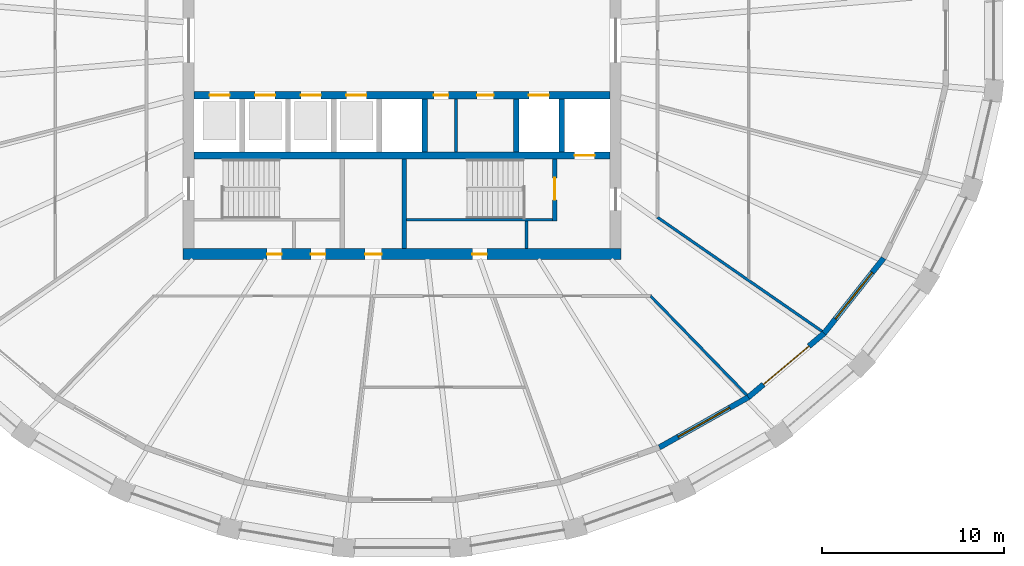
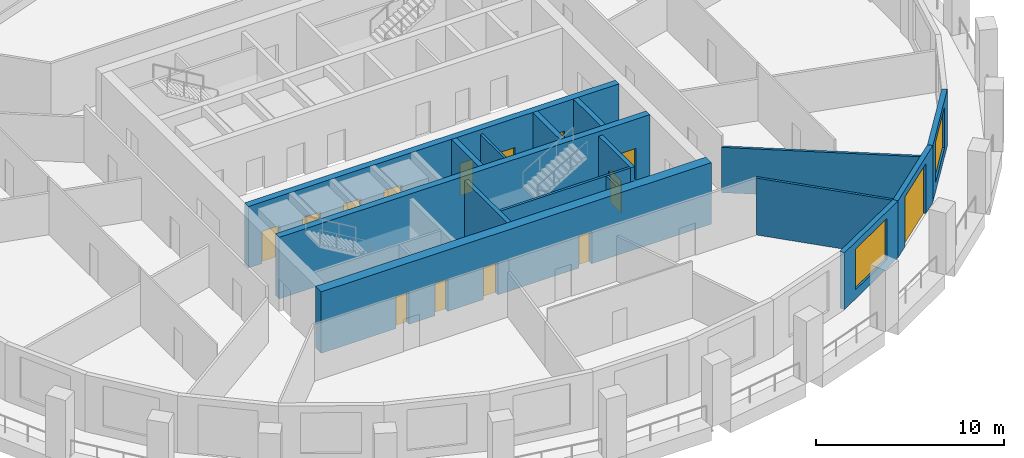
# One storey, part 4 of 10: 16 walls, 14 doors, 2 windows, 16 openings.
"""IFC4 building model written with IfcOpenShell, lengths in metres."""

from ifc_helpers import new_model, si_unit, direction, frame, frame_2d, origin, place, context, subcontext, project, spatial, polyline, rectangle, outline, extrude, material, layer, layer_set, type_object, element, fill, save


model = new_model("IFC4")

# Units and contexts
model_context = context("Model", 3, precision=1e-05, world=origin(), true_north=direction((0.0, 1.0)))
body_context = subcontext(model_context, "Body", "Model", "MODEL_VIEW")
ifc_project = project(units=[si_unit("LENGTHUNIT", "METRE"), si_unit("AREAUNIT", "SQUARE_METRE"), si_unit("VOLUMEUNIT", "CUBIC_METRE"), si_unit("PLANEANGLEUNIT", "RADIAN"), si_unit("MASSUNIT", "GRAM", prefix="KILO")], contexts=[model_context])

# Site, building, storey
site_placement = place(None, origin())
site = spatial("IfcSite", under=ifc_project, at=site_placement, CompositionType="ELEMENT")
building_placement = place(site_placement, origin())
building = spatial("IfcBuilding", under=site, at=building_placement, Name="Halqa Exchange Tower", CompositionType="ELEMENT")
storey_placement = place(building_placement, frame((0.0, 0.0, 194.89990234375)))
storey = spatial("IfcBuildingStorey", under=building, at=storey_placement, Name="L44", CompositionType="ELEMENT", Elevation=194.89990234375)

# Walls
ifc_material_1 = material(Name="Fire-rated gypsum board")
ifc_layer_1 = layer(ifc_material_1, 0.14990234375)
ifc_layer_set_1 = layer_set([ifc_layer_1], Name="Fire-rated gypsum board")
wall_type_1 = type_object("IfcWallType", Name="Fire partition EI 60 150", PredefinedType="PARTITIONING", material=ifc_layer_set_1)
wall_1_placement = place(storey_placement, frame((13.9677734375, -9.66748046875, 0.0), z_axis=(0.0, 0.0, 1.0), x_axis=(0.822097241007, -0.569347105313, 0.0)))
element("IfcWall", 1, at=wall_1_placement, inside=storey, type_object=wall_type_1, Name="L44-PWL-021", PredefinedType="PARTITIONING", context=body_context, shape_type="SweptSolid", body=[
    extrude(outline(polyline([(0.000244140625, -0.074951171875), (1.832275390625, -0.074951171875), (3.664306640625, -0.074951171875), (5.496337890625, -0.074951171875), (7.328125, -0.074951171875), (9.16015625, -0.074951171875), (10.9921875, -0.074951171875), (11.011962890625, -0.002197265625), (11.0166015625, 0.06982421875), (11.0166015625, 0.074951171875), (9.34912109375, 0.074951171875), (7.681640625, 0.074951171875), (6.01416015625, 0.074951171875), (6.01025390625, 0.072265625), (6.008544921875, 0.074951171875), (4.031982421875, 0.074951171875), (2.05517578125, 0.074951171875), (0.07861328125, 0.074951171875), (0.039306640625, -0.000244140625), (0.000244140625, -0.074951171875)])), origin(), (0.0, 0.0, 1.0), 2.947021484375),
])
wall_2_placement = place(storey_placement, frame((18.89306640625, -19.427001953125, 0.0), z_axis=(0.0, 0.0, 1.0), x_axis=(-0.696864554069, 0.717202756048, 0.0)))
element("IfcWall", 2, at=wall_2_placement, inside=storey, type_object=wall_type_1, Name="L44-PWL-025", PredefinedType="PARTITIONING", context=body_context, shape_type="SweptSolid", body=[
    extrude(outline(polyline([(0.0, -0.074951171875), (1.899658203125, -0.074951171875), (3.79931640625, -0.074951171875), (5.698974609375, -0.074951171875), (7.5986328125, -0.074951171875), (7.56689453125, 0.0), (7.53515625, 0.074951171875), (5.65771484375, 0.074951171875), (3.7802734375, 0.074951171875), (1.90283203125, 0.074951171875), (0.025390625, 0.074951171875), (0.0048828125, -0.002685546875), (0.0, -0.072998046875), (0.0, -0.074951171875)])), origin(), (0.0, 0.0, 1.0), 3.7001953125),
])
ifc_material_2 = material(Name="Gypsum board")
ifc_layer_2 = layer(ifc_material_2, 0.14990234375)
ifc_layer_set_2 = layer_set([ifc_layer_2], Name="Gypsum board")
wall_type_2 = type_object("IfcWallType", Name="Penthouse riser wall 150 gypsum", PredefinedType="PARTITIONING", material=ifc_layer_set_2)
wall_3_placement = place(storey_placement, frame((6.824951171875, -11.39990234375, 0.0), z_axis=(0.0, 0.0, 1.0), x_axis=(0.0, 1.0, 0.0)))
element("IfcWall", 3, at=wall_3_placement, inside=storey, type_object=wall_type_2, Name="Firefighting lobby west wall S", PredefinedType="PARTITIONING", context=body_context, shape_type="SweptSolid", body=[
    extrude(rectangle(XDim=1.5, YDim=0.14990234375, at=frame_2d((0.75, 0.0))), origin(), (0.0, 0.0, 1.0), 3.7001953125),
])
wall_4_placement = place(storey_placement, frame((2.949951171875, -6.10009765625, 0.0), z_axis=(0.0, 0.0, 1.0), x_axis=(0.0, 1.0, 0.0)))
element("IfcWall", 4, at=wall_4_placement, inside=storey, type_object=wall_type_2, Name="Freed bay partition SE2.950", PredefinedType="PARTITIONING", context=body_context, shape_type="SweptSolid", body=[
    extrude(rectangle(XDim=2.900146484375, YDim=0.14990234375, at=frame_2d((1.4501953125, 0.0))), origin(), (0.0, 0.0, 1.0), 3.7001953125),
])
ifc_material_3 = material(Name="Concrete C60/75", Category="concrete")
ifc_layer_3 = layer(ifc_material_3, 0.300048828125)
ifc_layer_set_3 = layer_set([ifc_layer_3], Name="Concrete C60/75")
wall_type_3 = type_object("IfcWallType", Name="RC core wall 300", PredefinedType="SHEAR", material=ifc_layer_set_3)
for number, where, z_axis, x_axis, name in (
    (5, (1.25, -6.10009765625, 0.0), (0.0, 0.0, 1.0), (0.0, 1.0, 0.0), "Shaft divider S5"),
    (6, (6.25, -6.10009765625, 0.0), (0.0, 0.0, 1.0), (0.0, 1.0, 0.0), "Shaft divider S7"),
    (7, (8.75, -6.10009765625, 0.0), (0.0, 0.0, 1.0), (0.0, 1.0, 0.0), "Shaft divider S8"),
):
    element("IfcWall", number, at=place(storey_placement, frame(where, z_axis=z_axis, x_axis=x_axis)), inside=storey, type_object=wall_type_3, Name=name, PredefinedType="SHEAR", context=body_context, shape_type="SweptSolid", body=[
        extrude(rectangle(XDim=2.900146484375, YDim=0.300048828125, at=frame_2d((1.4501953125, 0.0))), origin(), (0.0, 0.0, 1.0), 4.0),
    ])

# Wall, openings, doors
ifc_material_4 = material(Name="Concrete C70/85", Category="concrete")
ifc_layer_4 = layer(ifc_material_4, 0.39990234375)
ifc_layer_set_4 = layer_set([ifc_layer_4], Name="Concrete C70/85")
wall_type_4 = type_object("IfcWallType", Name="RC core wall 400 C70/85", PredefinedType="SHEAR", material=ifc_layer_set_4)
wall_5_placement = place(storey_placement, frame((-11.39990234375, -3.0, 0.0), z_axis=(0.0, 0.0, 1.0), x_axis=(1.0, 0.0, 0.0)))
wall_5 = element("IfcWall", 8, at=wall_5_placement, inside=storey, type_object=wall_type_4, Name="Lift row front wall S", PredefinedType="SHEAR", context=body_context, shape_type="SweptSolid", body=[
    extrude(rectangle(XDim=22.7998046875, YDim=0.39990234375, at=frame_2d((11.39990234375, 0.0))), origin(), (0.0, 0.0, 1.0), 4.0),
])
opening_1_placement = place(wall_5_placement, frame((0.85009765625, 0.0, 0.0)))
opening_1 = element("IfcOpeningElement", 9, at=opening_1_placement, cuts=wall_5, Name="Opening LD-HR3-T13", PredefinedType="OPENING", context=body_context, shape_type="SweptSolid", body=[
    extrude(rectangle(XDim=1.10009765625, YDim=2.10009765625, at=frame_2d((0.550048828125, 1.050048828125))), frame((0.0, 0.2119140625, 0.0), z_axis=(0.0, -1.0, 0.0), x_axis=(1.0, 0.0, 0.0)), (0.0, 0.0, 1.0), 0.423828125),
])
opening_2_placement = place(wall_5_placement, frame((3.35009765625, 0.0, 0.0)))
opening_2 = element("IfcOpeningElement", 10, at=opening_2_placement, cuts=wall_5, Name="Opening LD-HR4-T13", PredefinedType="OPENING", context=body_context, shape_type="SweptSolid", body=[
    extrude(rectangle(XDim=1.10009765625, YDim=2.10009765625, at=frame_2d((0.550048828125, 1.050048828125))), frame((0.0, 0.2119140625, 0.0), z_axis=(0.0, -1.0, 0.0), x_axis=(1.0, 0.0, 0.0)), (0.0, 0.0, 1.0), 0.423828125),
])
opening_3_placement = place(wall_5_placement, frame((5.85009765625, 0.0, 0.0)))
opening_3 = element("IfcOpeningElement", 11, at=opening_3_placement, cuts=wall_5, Name="Opening LD-MR3-T13", PredefinedType="OPENING", context=body_context, shape_type="SweptSolid", body=[
    extrude(rectangle(XDim=1.10009765625, YDim=2.10009765625, at=frame_2d((0.550048828125, 1.050048828125))), frame((0.0, 0.2119140625, 0.0), z_axis=(0.0, -1.0, 0.0), x_axis=(1.0, 0.0, 0.0)), (0.0, 0.0, 1.0), 0.423828125),
])
opening_4_placement = place(wall_5_placement, frame((8.35009765625, 0.0, 0.0)))
opening_4 = element("IfcOpeningElement", 12, at=opening_4_placement, cuts=wall_5, Name="Opening LD-MR4-T13", PredefinedType="OPENING", context=body_context, shape_type="SweptSolid", body=[
    extrude(rectangle(XDim=1.10009765625, YDim=2.10009765625, at=frame_2d((0.550048828125, 1.050048828125))), frame((0.0, 0.2119140625, 0.0), z_axis=(0.0, -1.0, 0.0), x_axis=(1.0, 0.0, 0.0)), (0.0, 0.0, 1.0), 0.423828125),
])
opening_5_placement = place(wall_5_placement, frame((18.35009765625, 0.0, 0.0)))
opening_5 = element("IfcOpeningElement", 13, at=opening_5_placement, cuts=wall_5, Name="Opening LD-SV2-T13", PredefinedType="OPENING", context=body_context, shape_type="SweptSolid", body=[
    extrude(rectangle(XDim=1.10009765625, YDim=2.10009765625, at=frame_2d((0.550048828125, 1.050048828125))), frame((0.0, 0.2119140625, 0.0), z_axis=(0.0, -1.0, 0.0), x_axis=(1.0, 0.0, 0.0)), (0.0, 0.0, 1.0), 0.423828125),
])
opening_6_placement = place(wall_5_placement, frame((13.137451171875, 0.0, 0.0)))
opening_6 = element("IfcOpeningElement", 14, at=opening_6_placement, cuts=wall_5, Name="Opening T13-C31", PredefinedType="OPENING", context=body_context, shape_type="SweptSolid", body=[
    extrude(rectangle(XDim=0.800048828125, YDim=2.10009765625, at=frame_2d((0.39990234375, 1.050048828125))), frame((0.0, 0.2119140625, 0.0), z_axis=(0.0, -1.0, 0.0), x_axis=(1.0, 0.0, 0.0)), (0.0, 0.0, 1.0), 0.423828125),
])
opening_7_placement = place(wall_5_placement, frame((15.512451171875, 0.0, 0.0)))
opening_7 = element("IfcOpeningElement", 15, at=opening_7_placement, cuts=wall_5, Name="Opening T13-C32", PredefinedType="OPENING", context=body_context, shape_type="SweptSolid", body=[
    extrude(rectangle(XDim=0.89990234375, YDim=2.10009765625, at=frame_2d((0.449951171875, 1.050048828125))), frame((0.0, 0.2119140625, 0.0), z_axis=(0.0, -1.0, 0.0), x_axis=(1.0, 0.0, 0.0)), (0.0, 0.0, 1.0), 0.423828125),
])
ifc_material_5 = material(Name="Timber fire door leaf", Category="wood")
door_type_1 = type_object("IfcDoorType", Name="Core room door FD30 900 x 2100", OperationType="SINGLE_SWING_LEFT", PredefinedType="DOOR", material=ifc_material_5)
door_1_placement = place(opening_7_placement, frame((0.89990234375, 0.0, 0.0), z_axis=(0.0, 0.0, 1.0), x_axis=(-1.0, 0.0, 0.0)))
door_1 = element("IfcDoor", 16, at=door_1_placement, inside=storey, type_object=door_type_1, Name="Core room door", OperationType="SINGLE_SWING_LEFT", OverallHeight=2.10009765625, OverallWidth=0.89990234375, PredefinedType="DOOR", context=body_context, shape_type="SweptSolid", body=[
    extrude(rectangle(XDim=0.89990234375, YDim=2.10009765625, at=frame_2d((0.449951171875, 1.050048828125))), frame((0.0, 0.02490234375, 0.0), z_axis=(0.0, -1.0, 0.0), x_axis=(1.0, 0.0, 0.0)), (0.0, 0.0, 1.0), 0.050048828125),
])
fill(opening_7, door_1)
ifc_material_6 = material(Name="Stainless steel", Category="steel")
door_type_2 = type_object("IfcDoorType", Name="Lift landing door 1100 x 2100", OperationType="SLIDING_TO_LEFT", PredefinedType="DOOR", material=ifc_material_6)
door_2_placement = place(opening_1_placement, origin())
door_2 = element("IfcDoor", 17, at=door_2_placement, inside=storey, type_object=door_type_2, Name="Lift landing door HR3", OperationType="SLIDING_TO_LEFT", OverallHeight=2.10009765625, OverallWidth=1.10009765625, PredefinedType="DOOR", context=body_context, shape_type="SweptSolid", body=[
    extrude(rectangle(XDim=1.10009765625, YDim=2.10009765625, at=frame_2d((0.550048828125, 1.050048828125))), frame((0.0, 0.02490234375, 0.0), z_axis=(0.0, -1.0, 0.0), x_axis=(1.0, 0.0, 0.0)), (0.0, 0.0, 1.0), 0.050048828125),
])
fill(opening_1, door_2)
door_3_placement = place(opening_2_placement, origin())
door_3 = element("IfcDoor", 18, at=door_3_placement, inside=storey, type_object=door_type_2, Name="Lift landing door HR4", OperationType="SLIDING_TO_LEFT", OverallHeight=2.10009765625, OverallWidth=1.10009765625, PredefinedType="DOOR", context=body_context, shape_type="SweptSolid", body=[
    extrude(rectangle(XDim=1.10009765625, YDim=2.10009765625, at=frame_2d((0.550048828125, 1.050048828125))), frame((0.0, 0.02490234375, 0.0), z_axis=(0.0, -1.0, 0.0), x_axis=(1.0, 0.0, 0.0)), (0.0, 0.0, 1.0), 0.050048828125),
])
fill(opening_2, door_3)
door_4_placement = place(opening_3_placement, origin())
door_4 = element("IfcDoor", 19, at=door_4_placement, inside=storey, type_object=door_type_2, Name="Lift landing door MR3", OperationType="SLIDING_TO_LEFT", OverallHeight=2.10009765625, OverallWidth=1.10009765625, PredefinedType="DOOR", context=body_context, shape_type="SweptSolid", body=[
    extrude(rectangle(XDim=1.10009765625, YDim=2.10009765625, at=frame_2d((0.550048828125, 1.050048828125))), frame((0.0, 0.02490234375, 0.0), z_axis=(0.0, -1.0, 0.0), x_axis=(1.0, 0.0, 0.0)), (0.0, 0.0, 1.0), 0.050048828125),
])
fill(opening_3, door_4)
door_5_placement = place(opening_4_placement, origin())
door_5 = element("IfcDoor", 20, at=door_5_placement, inside=storey, type_object=door_type_2, Name="Lift landing door MR4", OperationType="SLIDING_TO_LEFT", OverallHeight=2.10009765625, OverallWidth=1.10009765625, PredefinedType="DOOR", context=body_context, shape_type="SweptSolid", body=[
    extrude(rectangle(XDim=1.10009765625, YDim=2.10009765625, at=frame_2d((0.550048828125, 1.050048828125))), frame((0.0, 0.02490234375, 0.0), z_axis=(0.0, -1.0, 0.0), x_axis=(1.0, 0.0, 0.0)), (0.0, 0.0, 1.0), 0.050048828125),
])
fill(opening_4, door_5)
door_6_placement = place(opening_5_placement, origin())
door_6 = element("IfcDoor", 21, at=door_6_placement, inside=storey, type_object=door_type_2, Name="Lift landing door SV2", OperationType="SLIDING_TO_LEFT", OverallHeight=2.10009765625, OverallWidth=1.10009765625, PredefinedType="DOOR", context=body_context, shape_type="SweptSolid", body=[
    extrude(rectangle(XDim=1.10009765625, YDim=2.10009765625, at=frame_2d((0.550048828125, 1.050048828125))), frame((0.0, 0.02490234375, 0.0), z_axis=(0.0, -1.0, 0.0), x_axis=(1.0, 0.0, 0.0)), (0.0, 0.0, 1.0), 0.050048828125),
])
fill(opening_5, door_6)
ifc_material_7 = material(Name="Steel fire door leaf", Category="steel")
door_type_3 = type_object("IfcDoorType", Name="Riser door FD60 800 x 2100", OperationType="SINGLE_SWING_LEFT", PredefinedType="DOOR", material=ifc_material_7)
door_7_placement = place(opening_6_placement, frame((0.800048828125, 0.0, 0.0), z_axis=(0.0, 0.0, 1.0), x_axis=(-1.0, 0.0, 0.0)))
door_7 = element("IfcDoor", 22, at=door_7_placement, inside=storey, type_object=door_type_3, Name="Core room door", OperationType="SINGLE_SWING_LEFT", OverallHeight=2.10009765625, OverallWidth=0.800048828125, PredefinedType="DOOR", context=body_context, shape_type="SweptSolid", body=[
    extrude(rectangle(XDim=0.800048828125, YDim=2.10009765625, at=frame_2d((0.39990234375, 1.050048828125))), frame((0.0, 0.02490234375, 0.0), z_axis=(0.0, -1.0, 0.0), x_axis=(1.0, 0.0, 0.0)), (0.0, 0.0, 1.0), 0.050048828125),
])
fill(opening_6, door_7)

# Wall, opening, door
wall_6_placement = place(storey_placement, frame((-11.39990234375, -6.300048828125, 0.0), z_axis=(0.0, 0.0, 1.0), x_axis=(1.0, 0.0, 0.0)))
wall_6 = element("IfcWall", 23, at=wall_6_placement, inside=storey, type_object=wall_type_4, Name="Lift row back wall S", PredefinedType="SHEAR", context=body_context, shape_type="SweptSolid", body=[
    extrude(rectangle(XDim=22.7998046875, YDim=0.39990234375, at=frame_2d((11.39990234375, 0.0))), origin(), (0.0, 0.0, 1.0), 4.0),
])
opening_8_placement = place(wall_6_placement, frame((20.85009765625, 0.0, 0.0)))
opening_8 = element("IfcOpeningElement", 24, at=opening_8_placement, cuts=wall_6, Name="Opening LD-FF2-T13", PredefinedType="OPENING", context=body_context, shape_type="SweptSolid", body=[
    extrude(rectangle(XDim=1.10009765625, YDim=2.10009765625, at=frame_2d((0.550048828125, 1.050048828125))), frame((0.0, 0.2119140625, 0.0), z_axis=(0.0, -1.0, 0.0), x_axis=(1.0, 0.0, 0.0)), (0.0, 0.0, 1.0), 0.423828125),
])
door_8_placement = place(opening_8_placement, origin())
door_8 = element("IfcDoor", 25, at=door_8_placement, inside=storey, type_object=door_type_2, Name="Lift landing door FF2", OperationType="SLIDING_TO_LEFT", OverallHeight=2.10009765625, OverallWidth=1.10009765625, PredefinedType="DOOR", context=body_context, shape_type="SweptSolid", body=[
    extrude(rectangle(XDim=1.10009765625, YDim=2.10009765625, at=frame_2d((0.550048828125, 1.050048828125))), frame((0.0, 0.02490234375, 0.0), z_axis=(0.0, -1.0, 0.0), x_axis=(1.0, 0.0, 0.0)), (0.0, 0.0, 1.0), 0.050048828125),
])
fill(opening_8, door_8)

# Wall, openings, doors
ifc_layer_5 = layer(ifc_material_4, 0.60009765625)
ifc_layer_set_5 = layer_set([ifc_layer_5], Name="Concrete C70/85")
wall_type_5 = type_object("IfcWallType", Name="RC core wall 600 C70/85", PredefinedType="SHEAR", material=ifc_layer_set_5)
wall_7_placement = place(storey_placement, frame((-12.0, -11.699951171875, 0.0), z_axis=(0.0, 0.0, 1.0), x_axis=(1.0, 0.0, 0.0)))
wall_7 = element("IfcWall", 26, at=wall_7_placement, inside=storey, type_object=wall_type_5, Name="Core wall south", PredefinedType="SHEAR", context=body_context, shape_type="SweptSolid", body=[
    extrude(rectangle(XDim=24.0, YDim=0.60009765625, at=frame_2d((12.0, 0.0))), origin(), (0.0, 0.0, 1.0), 4.0),
])
opening_9_placement = place(wall_7_placement, frame((9.97509765625, 0.0, 0.0)))
opening_9 = element("IfcOpeningElement", 27, at=opening_9_placement, cuts=wall_7, Name="Opening T13-C25", PredefinedType="OPENING", context=body_context, shape_type="SweptSolid", body=[
    extrude(rectangle(XDim=0.89990234375, YDim=2.10009765625, at=frame_2d((0.449951171875, 1.050048828125))), frame((0.0, 0.31201171875, 0.0), z_axis=(0.0, -1.0, 0.0), x_axis=(1.0, 0.0, 0.0)), (0.0, 0.0, 1.0), 0.6240234375),
])
opening_10_placement = place(wall_7_placement, frame((4.60009765625, 0.0, 0.0)))
opening_10 = element("IfcOpeningElement", 28, at=opening_10_placement, cuts=wall_7, Name="Opening T13-C26", PredefinedType="OPENING", context=body_context, shape_type="SweptSolid", body=[
    extrude(rectangle(XDim=0.800048828125, YDim=2.10009765625, at=frame_2d((0.39990234375, 1.050048828125))), frame((0.0, 0.31201171875, 0.0), z_axis=(0.0, -1.0, 0.0), x_axis=(1.0, 0.0, 0.0)), (0.0, 0.0, 1.0), 0.6240234375),
])
opening_11_placement = place(wall_7_placement, frame((7.0, 0.0, 0.0)))
opening_11 = element("IfcOpeningElement", 29, at=opening_11_placement, cuts=wall_7, Name="Opening T13-C27", PredefinedType="OPENING", context=body_context, shape_type="SweptSolid", body=[
    extrude(rectangle(XDim=0.800048828125, YDim=2.10009765625, at=frame_2d((0.39990234375, 1.050048828125))), frame((0.0, 0.31201171875, 0.0), z_axis=(0.0, -1.0, 0.0), x_axis=(1.0, 0.0, 0.0)), (0.0, 0.0, 1.0), 0.6240234375),
])
opening_12_placement = place(wall_7_placement, frame((15.85009765625, 0.0, 0.0)))
opening_12 = element("IfcOpeningElement", 30, at=opening_12_placement, cuts=wall_7, Name="Opening T13-C28", PredefinedType="OPENING", context=body_context, shape_type="SweptSolid", body=[
    extrude(rectangle(XDim=0.800048828125, YDim=2.10009765625, at=frame_2d((0.39990234375, 1.050048828125))), frame((0.0, 0.31201171875, 0.0), z_axis=(0.0, -1.0, 0.0), x_axis=(1.0, 0.0, 0.0)), (0.0, 0.0, 1.0), 0.6240234375),
])
door_9_placement = place(opening_9_placement, origin())
door_9 = element("IfcDoor", 31, at=door_9_placement, inside=storey, type_object=door_type_1, Name="Core room door", OperationType="SINGLE_SWING_RIGHT", OverallHeight=2.10009765625, OverallWidth=0.89990234375, PredefinedType="DOOR", context=body_context, shape_type="SweptSolid", body=[
    extrude(rectangle(XDim=0.89990234375, YDim=2.10009765625, at=frame_2d((0.449951171875, 1.050048828125))), frame((0.0, 0.02490234375, 0.0), z_axis=(0.0, -1.0, 0.0), x_axis=(1.0, 0.0, 0.0)), (0.0, 0.0, 1.0), 0.050048828125),
])
fill(opening_9, door_9)
door_10_placement = place(opening_10_placement, origin())
door_10 = element("IfcDoor", 32, at=door_10_placement, inside=storey, type_object=door_type_3, Name="Core room door", OperationType="SINGLE_SWING_LEFT", OverallHeight=2.10009765625, OverallWidth=0.800048828125, PredefinedType="DOOR", context=body_context, shape_type="SweptSolid", body=[
    extrude(rectangle(XDim=0.800048828125, YDim=2.10009765625, at=frame_2d((0.39990234375, 1.050048828125))), frame((0.0, 0.02490234375, 0.0), z_axis=(0.0, -1.0, 0.0), x_axis=(1.0, 0.0, 0.0)), (0.0, 0.0, 1.0), 0.050048828125),
])
fill(opening_10, door_10)
door_11_placement = place(opening_11_placement, origin())
door_11 = element("IfcDoor", 33, at=door_11_placement, inside=storey, type_object=door_type_3, Name="Core room door", OperationType="SINGLE_SWING_RIGHT", OverallHeight=2.10009765625, OverallWidth=0.800048828125, PredefinedType="DOOR", context=body_context, shape_type="SweptSolid", body=[
    extrude(rectangle(XDim=0.800048828125, YDim=2.10009765625, at=frame_2d((0.39990234375, 1.050048828125))), frame((0.0, 0.02490234375, 0.0), z_axis=(0.0, -1.0, 0.0), x_axis=(1.0, 0.0, 0.0)), (0.0, 0.0, 1.0), 0.050048828125),
])
fill(opening_11, door_11)
door_12_placement = place(opening_12_placement, origin())
door_12 = element("IfcDoor", 34, at=door_12_placement, inside=storey, type_object=door_type_3, Name="Core room door", OperationType="SINGLE_SWING_LEFT", OverallHeight=2.10009765625, OverallWidth=0.800048828125, PredefinedType="DOOR", context=body_context, shape_type="SweptSolid", body=[
    extrude(rectangle(XDim=0.800048828125, YDim=2.10009765625, at=frame_2d((0.39990234375, 1.050048828125))), frame((0.0, 0.02490234375, 0.0), z_axis=(0.0, -1.0, 0.0), x_axis=(1.0, 0.0, 0.0)), (0.0, 0.0, 1.0), 0.050048828125),
])
fill(opening_12, door_12)

# Walls
ifc_material_8 = material(Name="Concrete C30/37", Category="concrete")
ifc_layer_6 = layer(ifc_material_8, 0.14990234375)
ifc_layer_set_6 = layer_set([ifc_layer_6], Name="Concrete C30/37")
wall_type_6 = type_object("IfcWallType", Name="RC stair wall 150 C30/37", PredefinedType="SHEAR", material=ifc_layer_set_6)
wall_8_placement = place(storey_placement, frame((0.25, -9.824951171875, 0.0), z_axis=(0.0, 0.0, 1.0), x_axis=(1.0, 0.0, 0.0)))
element("IfcWall", 35, at=wall_8_placement, inside=storey, type_object=wall_type_6, Name="Stair ST2 north wall S", PredefinedType="SHEAR", context=body_context, shape_type="SweptSolid", body=[
    extrude(rectangle(XDim=8.0, YDim=0.14990234375, at=frame_2d((4.0, 0.0))), origin(), (0.0, 0.0, 1.0), 3.7001953125),
])
ifc_layer_7 = layer(ifc_material_8, 0.25)
ifc_layer_set_7 = layer_set([ifc_layer_7], Name="Concrete C30/37")
wall_type_7 = type_object("IfcWallType", Name="RC stair wall 250 C30/37", PredefinedType="SHEAR", material=ifc_layer_set_7)
wall_9_placement = place(storey_placement, frame((0.125, -11.39990234375, 0.0), z_axis=(0.0, 0.0, 1.0), x_axis=(0.0, 1.0, 0.0)))
element("IfcWall", 36, at=wall_9_placement, inside=storey, type_object=wall_type_7, Name="Stair ST2 west wall S", PredefinedType="SHEAR", context=body_context, shape_type="SweptSolid", body=[
    extrude(rectangle(XDim=4.89990234375, YDim=0.25, at=frame_2d((2.449951171875, 0.0))), origin(), (0.0, 0.0, 1.0), 3.7001953125),
])

# Wall, opening, door
wall_10_placement = place(storey_placement, frame((8.375, -9.89990234375, 0.0), z_axis=(0.0, 0.0, 1.0), x_axis=(0.0, 1.0, 0.0)))
wall_10 = element("IfcWall", 37, at=wall_10_placement, inside=storey, type_object=wall_type_7, Name="Stair ST2 east wall S", PredefinedType="SHEAR", context=body_context, shape_type="SweptSolid", body=[
    extrude(rectangle(XDim=3.39990234375, YDim=0.25, at=frame_2d((1.699951171875, 0.0))), origin(), (0.0, 0.0, 1.0), 3.7001953125),
])
opening_13_placement = place(wall_10_placement, frame((1.175048828125, 0.0, 0.0)))
opening_13 = element("IfcOpeningElement", 38, at=opening_13_placement, cuts=wall_10, Name="Opening T13-C18", PredefinedType="OPENING", context=body_context, shape_type="SweptSolid", body=[
    extrude(rectangle(XDim=1.199951171875, YDim=2.10009765625, at=frame_2d((0.60009765625, 1.050048828125))), frame((0.0, 0.136962890625, 0.0), z_axis=(0.0, -1.0, 0.0), x_axis=(1.0, 0.0, 0.0)), (0.0, 0.0, 1.0), 0.27392578125),
])
door_type_4 = type_object("IfcDoorType", Name="Stair door FD90 1200 x 2100", OperationType="SINGLE_SWING_LEFT", PredefinedType="DOOR", material=ifc_material_7)
door_13_placement = place(opening_13_placement, origin())
door_13 = element("IfcDoor", 39, at=door_13_placement, inside=storey, type_object=door_type_4, Name="Stair door ST4", OperationType="SINGLE_SWING_RIGHT", OverallHeight=2.10009765625, OverallWidth=1.199951171875, PredefinedType="DOOR", context=body_context, shape_type="SweptSolid", body=[
    extrude(rectangle(XDim=1.199951171875, YDim=2.10009765625, at=frame_2d((0.60009765625, 1.050048828125))), frame((0.0, 0.02490234375, 0.0), z_axis=(0.0, -1.0, 0.0), x_axis=(1.0, 0.0, 0.0)), (0.0, 0.0, 1.0), 0.050048828125),
])
fill(opening_13, door_13)

# Wall, opening, window
ifc_material_9 = material(Name="Limestone cladding", Category="masonry")
ifc_layer_8 = layer(ifc_material_9, 0.0400390625)
ifc_material_10 = material(Name="Ventilated cavity")
ifc_layer_9 = layer(ifc_material_10, 0.030029296875, ventilated=True)
ifc_material_11 = material(Name="Mineral wool insulation")
ifc_layer_10 = layer(ifc_material_11, 0.10009765625)
ifc_layer_11 = layer(ifc_material_8, 0.10009765625)
ifc_material_12 = material(Name="Internal plaster")
ifc_layer_12 = layer(ifc_material_12, 0.030029296875)
ifc_layer_set_8 = layer_set([ifc_layer_8, ifc_layer_9, ifc_layer_10, ifc_layer_11, ifc_layer_12], Name="Stone-faced insulated wall 300")
wall_type_8 = type_object("IfcWallType", Name="Stone-faced insulated wall 300", PredefinedType="STANDARD", material=ifc_layer_set_8)
wall_11_placement = place(storey_placement, frame((14.099853515625, -22.29541015625, 0.0), z_axis=(0.0, 0.0, 1.0), x_axis=(0.871083701819, 0.491134588912, 0.0)))
wall_11 = element("IfcWall", 40, at=wall_11_placement, inside=storey, type_object=wall_type_8, Name="Glass-line wall 27", PredefinedType="STANDARD", context=body_context, shape_type="SweptSolid", body=[
    extrude(outline(polyline([(-0.013427734375, -0.14990234375), (5.613525390625, -0.14990234375), (5.585205078125, 0.14990234375), (0.013427734375, 0.14990234375), (-0.013427734375, -0.14990234375)])), origin(), (0.0, 0.0, 1.0), 3.7001953125),
])
opening_14_placement = place(wall_11_placement, frame((1.1748046875, 0.0, 0.60009765625)))
opening_14 = element("IfcOpeningElement", 41, at=opening_14_placement, cuts=wall_11, Name="Opening W-F3-27", PredefinedType="OPENING", context=body_context, shape_type="SweptSolid", body=[
    extrude(rectangle(XDim=3.25, YDim=2.64990234375, at=frame_2d((1.625, 1.324951171875))), frame((0.0, 0.162109375, 0.0), z_axis=(0.0, -1.0, 0.0), x_axis=(1.0, 0.0, 0.0)), (0.0, 0.0, 1.0), 0.323974609375),
])
ifc_material_13 = material(Name="Clear low-emissivity glass in aluminium frame", Category="aluminium")
window_type = type_object("IfcWindowType", Name="Fixed clear glazed window 3250 x 2650", PartitioningType="TRIPLE_PANEL_VERTICAL", PredefinedType="WINDOW", material=ifc_material_13)
window_1_placement = place(opening_14_placement, origin())
window_1 = element("IfcWindow", 42, at=window_1_placement, inside=storey, type_object=window_type, Name="Window 3", OverallHeight=2.64990234375, OverallWidth=3.25, PartitioningType="TRIPLE_PANEL_VERTICAL", PredefinedType="WINDOW", context=body_context, shape_type="SweptSolid", body=[
    extrude(rectangle(XDim=3.25, YDim=2.64990234375, at=frame_2d((1.625, 1.324951171875))), frame((0.0, 0.030029296875, 0.0), z_axis=(0.0, -1.0, 0.0), x_axis=(1.0, 0.0, 0.0)), (0.0, 0.0, 1.0), 0.06005859375),
])
fill(opening_14, window_1)

# Wall, opening, door
wall_12_placement = place(storey_placement, frame((18.977294921875, -19.54541015625, 0.0), z_axis=(0.0, 0.0, 1.0), x_axis=(0.764330261608, 0.644824977176, 0.0)))
wall_12 = element("IfcWall", 43, at=wall_12_placement, inside=storey, type_object=wall_type_8, Name="Glass-line wall 28", PredefinedType="STANDARD", context=body_context, shape_type="SweptSolid", body=[
    extrude(outline(polyline([(-0.01416015625, -0.14990234375), (5.4453125, -0.14990234375), (5.4150390625, 0.14990234375), (0.01416015625, 0.14990234375), (-0.01416015625, -0.14990234375)])), origin(), (0.0, 0.0, 1.0), 3.7001953125),
])
opening_15_placement = place(wall_12_placement, frame((1.090087890625, 0.0, 0.0)))
opening_15 = element("IfcOpeningElement", 44, at=opening_15_placement, cuts=wall_12, Name="Opening LG-F3-07", PredefinedType="OPENING", context=body_context, shape_type="SweptSolid", body=[
    extrude(rectangle(XDim=3.25, YDim=3.25, at=frame_2d((1.625, 1.625))), frame((0.0, 0.162109375, 0.0), z_axis=(0.0, -1.0, 0.0), x_axis=(1.0, 0.0, 0.0)), (0.0, 0.0, 1.0), 0.323974609375),
])
door_type_5 = type_object("IfcDoorType", Name="Glazed sliding loggia door 3250 x 3250", OperationType="DOUBLE_DOOR_SLIDING", PredefinedType="DOOR", material=ifc_material_13)
door_14_placement = place(opening_15_placement, origin())
door_14 = element("IfcDoor", 45, at=door_14_placement, inside=storey, type_object=door_type_5, Name="Loggia door 7", OperationType="DOUBLE_DOOR_SLIDING", OverallHeight=3.25, OverallWidth=3.25, PredefinedType="DOOR", context=body_context, shape_type="SweptSolid", body=[
    extrude(rectangle(XDim=3.25, YDim=3.25, at=frame_2d((1.625, 1.625))), frame((0.0, 0.02490234375, 0.0), z_axis=(0.0, -1.0, 0.0), x_axis=(1.0, 0.0, 0.0)), (0.0, 0.0, 1.0), 0.050048828125),
])
fill(opening_15, door_14)

# Wall, opening, window
wall_13_placement = place(storey_placement, frame((23.127685546875, -16.0439453125, 0.0), z_axis=(0.0, 0.0, 1.0), x_axis=(0.620829074232, 0.783945955145, 0.0)))
wall_13 = element("IfcWall", 46, at=wall_13_placement, inside=storey, type_object=wall_type_8, Name="Glass-line wall 29", PredefinedType="STANDARD", context=body_context, shape_type="SweptSolid", body=[
    extrude(outline(polyline([(-0.01513671875, -0.14990234375), (5.27099609375, -0.14990234375), (5.23876953125, 0.14990234375), (0.01513671875, 0.14990234375), (-0.01513671875, -0.14990234375)])), origin(), (0.0, 0.0, 1.0), 3.7001953125),
])
opening_16_placement = place(wall_13_placement, frame((1.002685546875, 0.0, 0.60009765625)))
opening_16 = element("IfcOpeningElement", 47, at=opening_16_placement, cuts=wall_13, Name="Opening W-F3-29", PredefinedType="OPENING", context=body_context, shape_type="SweptSolid", body=[
    extrude(rectangle(XDim=3.25, YDim=2.64990234375, at=frame_2d((1.625, 1.324951171875))), frame((0.0, 0.162109375, 0.0), z_axis=(0.0, -1.0, 0.0), x_axis=(1.0, 0.0, 0.0)), (0.0, 0.0, 1.0), 0.323974609375),
])
window_2_placement = place(opening_16_placement, origin())
window_2 = element("IfcWindow", 48, at=window_2_placement, inside=storey, type_object=window_type, Name="Window 3", OverallHeight=2.64990234375, OverallWidth=3.25, PartitioningType="TRIPLE_PANEL_VERTICAL", PredefinedType="WINDOW", context=body_context, shape_type="SweptSolid", body=[
    extrude(rectangle(XDim=3.25, YDim=2.64990234375, at=frame_2d((1.625, 1.324951171875))), frame((0.0, 0.030029296875, 0.0), z_axis=(0.0, -1.0, 0.0), x_axis=(1.0, 0.0, 0.0)), (0.0, 0.0, 1.0), 0.06005859375),
])
fill(opening_16, window_2)

save(model, "model.ifc")
